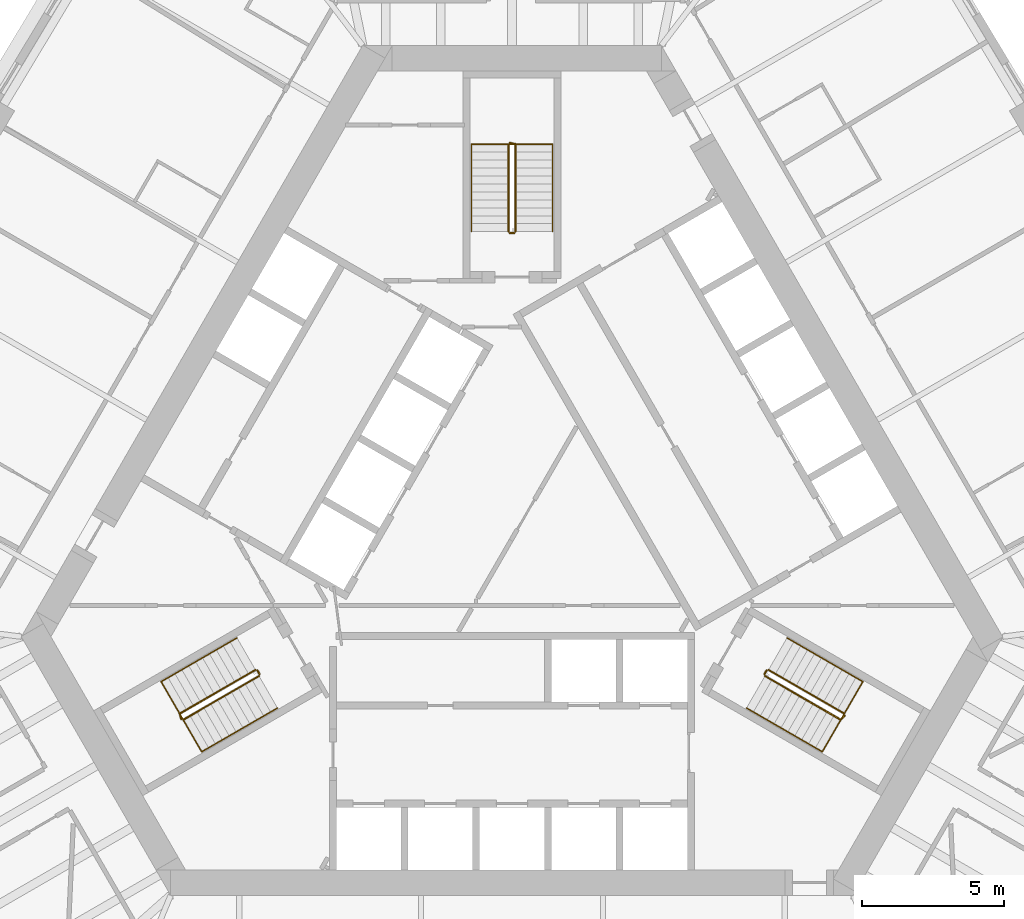
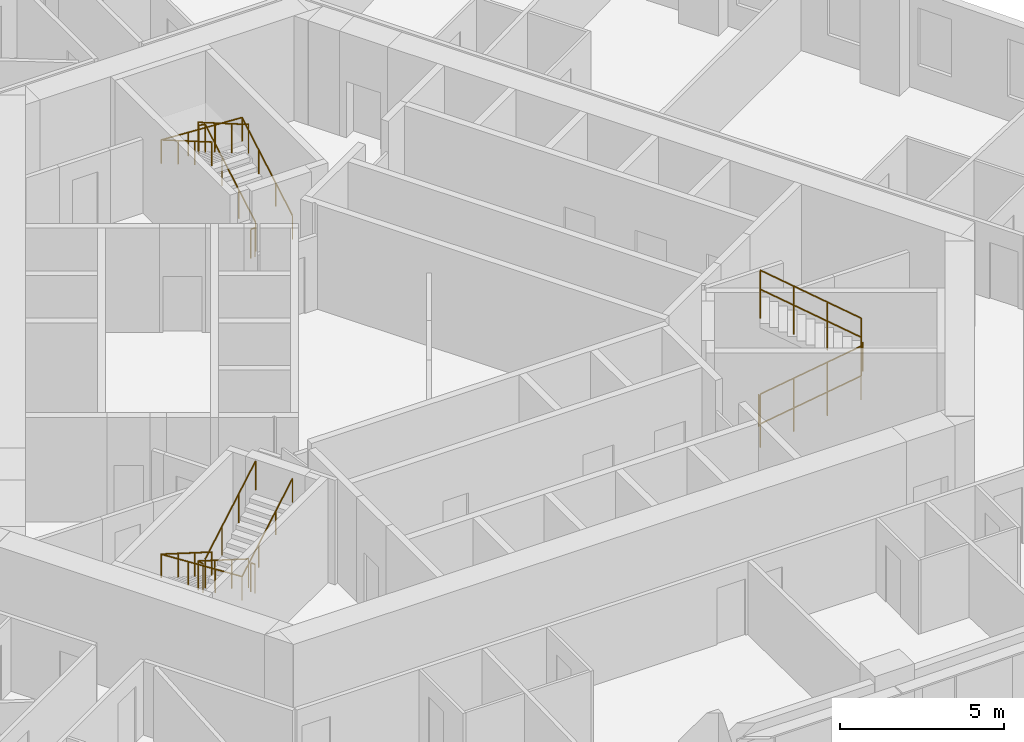
# One storey, part 13 of 13: 12 railings.
"""IFC4 building model written with IfcOpenShell, lengths in metres."""

from ifc_helpers import new_model, si_unit, direction, frame, origin, origin_2d, place, context, subcontext, project, spatial, circle, extrude, material, type_object, element, save


model = new_model("IFC4")

# Units and contexts
model_context = context("Model", 3, precision=1e-05, world=origin(), true_north=direction((0.0, 1.0)))
body_context = subcontext(model_context, "Body", "Model", "MODEL_VIEW")
ifc_project = project(units=[si_unit("LENGTHUNIT", "METRE"), si_unit("AREAUNIT", "SQUARE_METRE"), si_unit("VOLUMEUNIT", "CUBIC_METRE"), si_unit("PLANEANGLEUNIT", "RADIAN"), si_unit("MASSUNIT", "GRAM", prefix="KILO")], contexts=[model_context])

# Site, building, storey
site_placement = place(None, origin())
site = spatial("IfcSite", under=ifc_project, at=site_placement, CompositionType="ELEMENT")
building_placement = place(site_placement, origin())
building = spatial("IfcBuilding", under=site, at=building_placement, Name="Mestral Congress Tower", CompositionType="ELEMENT")
storey_placement = place(building_placement, frame((0.0, 0.0, 58.800048828125)))
storey = spatial("IfcBuildingStorey", under=building, at=storey_placement, Name="L13", CompositionType="ELEMENT", Elevation=58.800048828125)

# Railings
ifc_material_1 = material(Name="Steel balustrade", Category="steel")
railing_type_1 = type_object("IfcRailingType", Name="Stair guard 1100", PredefinedType="GUARDRAIL", material=ifc_material_1)
railing_1_placement = place(storey_placement, frame((8.90087890625, -5.283203125, 0.162353515625)))
element("IfcRailing", 1, at=railing_1_placement, inside=storey, type_object=railing_type_1, Name="L13 ST1 stair guard 1", PredefinedType="GUARDRAIL", context=body_context, shape_type="SweptSolid", body=[
    extrude(circle(Radius=0.02392578125, at=origin_2d()), frame((0.0, 0.0, 1.076171875), z_axis=(0.748993966903, -0.432462603499, 0.501980212875), x_axis=(0.500026652407, 0.866010015463, 0.0)), (0.0, 0.0, 1.0), 3.56103515625),
    extrude(circle(Radius=0.02392578125, at=origin_2d()), frame((2.667236328125, -1.5400390625, 2.86376953125), z_axis=(0.695164929852, 0.718850276695, 0.0), x_axis=(-0.718850276695, 0.695164929852, 0.0)), (0.0, 0.0, 1.0), 0.2060546875),
    extrude(circle(Radius=0.02099609375, at=origin_2d()), origin(), (0.0, 0.0, 1.0), 1.052001953125),
    extrude(circle(Radius=0.02099609375, at=origin_2d()), frame((0.88916015625, -0.513427734375, 0.595947265625)), (0.0, 0.0, 1.0), 1.052001953125),
    extrude(circle(Radius=0.02099609375, at=origin_2d()), frame((1.778076171875, -1.026611328125, 1.191650390625)), (0.0, 0.0, 1.0), 1.052001953125),
    extrude(circle(Radius=0.02099609375, at=origin_2d()), frame((2.667236328125, -1.5400390625, 1.78759765625)), (0.0, 0.0, 1.0), 1.052001953125),
    extrude(circle(Radius=0.02099609375, at=origin_2d()), frame((2.810546875, -1.391845703125, 1.78759765625)), (0.0, 0.0, 1.0), 1.052001953125),
])
railing_2_placement = place(storey_placement, frame((11.693115234375, -6.606689453125, 2.112548828125)))
element("IfcRailing", 2, at=railing_2_placement, inside=storey, type_object=railing_type_1, Name="L13 ST1 stair guard 2", PredefinedType="GUARDRAIL", context=body_context, shape_type="SweptSolid", body=[
    extrude(circle(Radius=0.02392578125, at=origin_2d()), frame((0.0, 0.0, 1.076171875), z_axis=(-0.749019742845, 0.432477486304, 0.501928927906), x_axis=(-0.500026652407, -0.866010015463, 0.0)), (0.0, 0.0, 1.0), 3.56103515625),
    extrude(circle(Radius=0.02099609375, at=origin_2d()), origin(), (0.0, 0.0, 1.0), 1.052001953125),
    extrude(circle(Radius=0.02099609375, at=origin_2d()), frame((-0.88916015625, 0.513427734375, 0.595703125)), (0.0, 0.0, 1.0), 1.052001953125),
    extrude(circle(Radius=0.02099609375, at=origin_2d()), frame((-1.778076171875, 1.026611328125, 1.191650390625)), (0.0, 0.0, 1.0), 1.052001953125),
    extrude(circle(Radius=0.02099609375, at=origin_2d()), frame((-2.667236328125, 1.5400390625, 1.787353515625)), (0.0, 0.0, 1.0), 1.052001953125),
])
railing_3_placement = place(storey_placement, frame((8.882568359375, -5.21484375, 0.0)))
element("IfcRailing", 3, at=railing_3_placement, inside=storey, type_object=railing_type_1, Name="L13 ST1 stair guard 3", PredefinedType="GUARDRAIL", context=body_context, shape_type="SweptSolid", body=[
    extrude(circle(Radius=0.02392578125, at=origin_2d()), frame((0.0, 0.0, 1.076171875), z_axis=(0.499816412211, 0.866131372301, 0.0), x_axis=(-0.866131372301, 0.499816412211, 0.0)), (0.0, 0.0, 1.0), 0.14990234375),
    extrude(circle(Radius=0.02099609375, at=origin_2d()), origin(), (0.0, 0.0, 1.0), 1.052001953125),
    extrude(circle(Radius=0.02099609375, at=origin_2d()), frame((0.074951171875, 0.1298828125, 0.0)), (0.0, 0.0, 1.0), 1.052001953125),
])
railing_4_placement = place(storey_placement, frame((0.125, 10.35009765625, 0.162353515625)))
element("IfcRailing", 4, at=railing_4_placement, inside=storey, type_object=railing_type_1, Name="L13 ST2 stair guard 1", PredefinedType="GUARDRAIL", context=body_context, shape_type="SweptSolid", body=[
    extrude(circle(Radius=0.02392578125, at=origin_2d()), frame((0.0, 0.0, 1.076171875), z_axis=(0.0, 0.864873446163, 0.501989962173), x_axis=(-1.0, 0.0, 0.0)), (0.0, 0.0, 1.0), 3.56103515625),
    extrude(circle(Radius=0.02392578125, at=origin_2d()), frame((0.0, 3.079833984375, 2.86376953125), z_axis=(-0.970072785993, 0.242814311512, 0.0), x_axis=(-0.242814311512, -0.970072785993, 0.0)), (0.0, 0.0, 1.0), 0.2060546875),
    extrude(circle(Radius=0.02099609375, at=origin_2d()), origin(), (0.0, 0.0, 1.0), 1.052001953125),
    extrude(circle(Radius=0.02099609375, at=origin_2d()), frame((0.0, 1.026611328125, 0.595947265625)), (0.0, 0.0, 1.0), 1.052001953125),
    extrude(circle(Radius=0.02099609375, at=origin_2d()), frame((0.0, 2.05322265625, 1.191650390625)), (0.0, 0.0, 1.0), 1.052001953125),
    extrude(circle(Radius=0.02099609375, at=origin_2d()), frame((0.0, 3.079833984375, 1.78759765625)), (0.0, 0.0, 1.0), 1.052001953125),
    extrude(circle(Radius=0.02099609375, at=origin_2d()), frame((-0.199951171875, 3.1298828125, 1.78759765625)), (0.0, 0.0, 1.0), 1.052001953125),
])
railing_5_placement = place(storey_placement, frame((-0.125, 13.429931640625, 2.112548828125)))
element("IfcRailing", 5, at=railing_5_placement, inside=storey, type_object=railing_type_1, Name="L13 ST2 stair guard 2", PredefinedType="GUARDRAIL", context=body_context, shape_type="SweptSolid", body=[
    extrude(circle(Radius=0.02392578125, at=origin_2d()), frame((0.0, 0.0, 1.076171875), z_axis=(0.0, -0.864903211148, 0.501938676878), x_axis=(1.0, 0.0, 0.0)), (0.0, 0.0, 1.0), 3.560791015625),
    extrude(circle(Radius=0.02099609375, at=origin_2d()), origin(), (0.0, 0.0, 1.0), 1.052001953125),
    extrude(circle(Radius=0.02099609375, at=origin_2d()), frame((0.0, -1.026611328125, 0.595703125)), (0.0, 0.0, 1.0), 1.052001953125),
    extrude(circle(Radius=0.02099609375, at=origin_2d()), frame((0.0, -2.05322265625, 1.191650390625)), (0.0, 0.0, 1.0), 1.052001953125),
    extrude(circle(Radius=0.02099609375, at=origin_2d()), frame((0.0, -3.079833984375, 1.787353515625)), (0.0, 0.0, 1.0), 1.052001953125),
])
railing_6_placement = place(storey_placement, frame((0.074951171875, 10.300048828125, 0.0)))
element("IfcRailing", 6, at=railing_6_placement, inside=storey, type_object=railing_type_1, Name="L13 ST2 stair guard 3", PredefinedType="GUARDRAIL", context=body_context, shape_type="SweptSolid", body=[
    extrude(circle(Radius=0.02392578125, at=origin_2d()), frame((0.0, 0.0, 1.076171875), z_axis=(-1.0, 0.0, 0.0), x_axis=(0.0, -1.0, 0.0)), (0.0, 0.0, 1.0), 0.14990234375),
    extrude(circle(Radius=0.02099609375, at=origin_2d()), origin(), (0.0, 0.0, 1.0), 1.052001953125),
    extrude(circle(Radius=0.02099609375, at=origin_2d()), frame((-0.14990234375, 0.0, 0.0)), (0.0, 0.0, 1.0), 1.052001953125),
])
railing_7_placement = place(storey_placement, frame((-9.02587890625, -5.066650390625, 0.162353515625)))
element("IfcRailing", 7, at=railing_7_placement, inside=storey, type_object=railing_type_1, Name="L13 ST3 stair guard 1", PredefinedType="GUARDRAIL", context=body_context, shape_type="SweptSolid", body=[
    extrude(circle(Radius=0.02392578125, at=origin_2d()), frame((0.0, 0.0, 1.076171875), z_axis=(-0.748993966903, -0.432462603499, 0.501980212875), x_axis=(0.500026652407, -0.866010015463, 0.0)), (0.0, 0.0, 1.0), 3.56103515625),
    extrude(circle(Radius=0.02392578125, at=origin_2d()), frame((-2.667236328125, -1.5400390625, 2.86376953125), z_axis=(0.274721127897, -0.961523947641, 0.0), x_axis=(0.961523947641, 0.274721127897, 0.0)), (0.0, 0.0, 1.0), 0.2060546875),
    extrude(circle(Radius=0.02099609375, at=origin_2d()), origin(), (0.0, 0.0, 1.0), 1.052001953125),
    extrude(circle(Radius=0.02099609375, at=origin_2d()), frame((-0.88916015625, -0.513427734375, 0.595947265625)), (0.0, 0.0, 1.0), 1.052001953125),
    extrude(circle(Radius=0.02099609375, at=origin_2d()), frame((-1.778076171875, -1.026611328125, 1.191650390625)), (0.0, 0.0, 1.0), 1.052001953125),
    extrude(circle(Radius=0.02099609375, at=origin_2d()), frame((-2.667236328125, -1.5400390625, 1.78759765625)), (0.0, 0.0, 1.0), 1.052001953125),
    extrude(circle(Radius=0.02099609375, at=origin_2d()), frame((-2.610595703125, -1.73828125, 1.78759765625)), (0.0, 0.0, 1.0), 1.052001953125),
])
railing_8_placement = place(storey_placement, frame((-11.568115234375, -6.8232421875, 2.112548828125)))
element("IfcRailing", 8, at=railing_8_placement, inside=storey, type_object=railing_type_1, Name="L13 ST3 stair guard 2", PredefinedType="GUARDRAIL", context=body_context, shape_type="SweptSolid", body=[
    extrude(circle(Radius=0.02392578125, at=origin_2d()), frame((0.0, 0.0, 1.076171875), z_axis=(0.749019742845, 0.432477486304, 0.501928927906), x_axis=(-0.500026652407, 0.866010015463, 0.0)), (0.0, 0.0, 1.0), 3.56103515625),
    extrude(circle(Radius=0.02099609375, at=origin_2d()), origin(), (0.0, 0.0, 1.0), 1.052001953125),
    extrude(circle(Radius=0.02099609375, at=origin_2d()), frame((0.88916015625, 0.513427734375, 0.595703125)), (0.0, 0.0, 1.0), 1.052001953125),
    extrude(circle(Radius=0.02099609375, at=origin_2d()), frame((1.778076171875, 1.026611328125, 1.191650390625)), (0.0, 0.0, 1.0), 1.052001953125),
    extrude(circle(Radius=0.02099609375, at=origin_2d()), frame((2.667236328125, 1.5400390625, 1.787353515625)), (0.0, 0.0, 1.0), 1.052001953125),
])
railing_9_placement = place(storey_placement, frame((-8.95751953125, -5.0849609375, 0.0)))
element("IfcRailing", 9, at=railing_9_placement, inside=storey, type_object=railing_type_1, Name="L13 ST3 stair guard 3", PredefinedType="GUARDRAIL", context=body_context, shape_type="SweptSolid", body=[
    extrude(circle(Radius=0.02392578125, at=origin_2d()), frame((0.0, 0.0, 1.076171875), z_axis=(0.499816412211, -0.866131372301, 0.0), x_axis=(0.866131372301, 0.499816412211, 0.0)), (0.0, 0.0, 1.0), 0.14990234375),
    extrude(circle(Radius=0.02099609375, at=origin_2d()), origin(), (0.0, 0.0, 1.0), 1.052001953125),
    extrude(circle(Radius=0.02099609375, at=origin_2d()), frame((0.074951171875, -0.1298828125, 0.0)), (0.0, 0.0, 1.0), 1.052001953125),
])
ifc_material_2 = material(Name="Steel handrail", Category="steel")
railing_type_2 = type_object("IfcRailingType", Name="Stair handrail 900", PredefinedType="HANDRAIL", material=ifc_material_2)
railing_10_placement = place(storey_placement, frame((8.2509765625, -6.4091796875, 0.162353515625)))
element("IfcRailing", 10, at=railing_10_placement, inside=storey, type_object=railing_type_2, Name="L13 ST1 stair handrail 1", PredefinedType="HANDRAIL", context=body_context, shape_type="SweptSolid", body=[
    extrude(circle(Radius=0.02392578125, at=origin_2d()), frame((0.0, 0.0, 0.8759765625), z_axis=(0.749016172816, -0.432406865167, 0.50199509541), x_axis=(0.499967199496, 0.866044340336, 0.0)), (0.0, 0.0, 1.0), 3.56103515625),
    extrude(circle(Radius=0.02392578125, at=origin_2d()), frame((2.667236328125, -1.539794921875, 2.66357421875), z_axis=(0.499224505807, 0.864598343191, 0.056961370716), x_axis=(-0.866004402611, 0.500036373335, 0.0)), (0.0, 0.0, 1.0), 2.8544921875),
    extrude(circle(Radius=0.02392578125, at=origin_2d()), frame((4.09228515625, 0.92822265625, 2.826171875), z_axis=(-0.749049836341, 0.432455278019, 0.501903153199), x_axis=(-0.499992328818, -0.866029832698, 0.0)), (0.0, 0.0, 1.0), 3.56103515625),
    extrude(circle(Radius=0.02099609375, at=origin_2d()), origin(), (0.0, 0.0, 1.0), 0.851806640625),
    extrude(circle(Radius=0.02099609375, at=origin_2d()), frame((0.88916015625, -0.51318359375, 0.595947265625)), (0.0, 0.0, 1.0), 0.851806640625),
    extrude(circle(Radius=0.02099609375, at=origin_2d()), frame((1.778076171875, -1.026611328125, 1.191650390625)), (0.0, 0.0, 1.0), 0.851806640625),
    extrude(circle(Radius=0.02099609375, at=origin_2d()), frame((2.667236328125, -1.539794921875, 1.78759765625)), (0.0, 0.0, 1.0), 0.851806640625),
    extrude(circle(Radius=0.02099609375, at=origin_2d()), frame((3.142333984375, -0.717041015625, 1.841796875)), (0.0, 0.0, 1.0), 0.851806640625),
    extrude(circle(Radius=0.02099609375, at=origin_2d()), frame((3.6171875, 0.10546875, 1.89599609375)), (0.0, 0.0, 1.0), 0.851806640625),
    extrude(circle(Radius=0.02099609375, at=origin_2d()), frame((4.09228515625, 0.92822265625, 1.9501953125)), (0.0, 0.0, 1.0), 0.851806640625),
    extrude(circle(Radius=0.02099609375, at=origin_2d()), frame((3.203125, 1.441650390625, 2.5458984375)), (0.0, 0.0, 1.0), 0.851806640625),
    extrude(circle(Radius=0.02099609375, at=origin_2d()), frame((2.31396484375, 1.954833984375, 3.141845703125)), (0.0, 0.0, 1.0), 0.851806640625),
    extrude(circle(Radius=0.02099609375, at=origin_2d()), frame((1.4248046875, 2.46826171875, 3.737548828125)), (0.0, 0.0, 1.0), 0.851806640625),
])
railing_11_placement = place(storey_placement, frame((1.425048828125, 10.35009765625, 0.162353515625)))
element("IfcRailing", 11, at=railing_11_placement, inside=storey, type_object=railing_type_2, Name="L13 ST2 stair handrail 1", PredefinedType="HANDRAIL", context=body_context, shape_type="SweptSolid", body=[
    extrude(circle(Radius=0.02392578125, at=origin_2d()), frame((0.0, 0.0, 0.8759765625), z_axis=(0.0, 0.864873446163, 0.501989962173), x_axis=(-1.0, 0.0, 0.0)), (0.0, 0.0, 1.0), 3.56103515625),
    extrude(circle(Radius=0.02392578125, at=origin_2d()), frame((0.0, 3.079833984375, 2.66357421875), z_axis=(-0.998376618682, 0.0, 0.056957240709), x_axis=(0.0, -1.0, 0.0)), (0.0, 0.0, 1.0), 2.854736328125),
    extrude(circle(Radius=0.02392578125, at=origin_2d()), frame((-2.85009765625, 3.079833984375, 2.826171875), z_axis=(0.0, -0.864903211148, 0.501938676878), x_axis=(1.0, 0.0, 0.0)), (0.0, 0.0, 1.0), 3.560791015625),
    extrude(circle(Radius=0.02099609375, at=origin_2d()), origin(), (0.0, 0.0, 1.0), 0.851806640625),
    extrude(circle(Radius=0.02099609375, at=origin_2d()), frame((0.0, 1.026611328125, 0.595947265625)), (0.0, 0.0, 1.0), 0.851806640625),
    extrude(circle(Radius=0.02099609375, at=origin_2d()), frame((0.0, 2.05322265625, 1.191650390625)), (0.0, 0.0, 1.0), 0.851806640625),
    extrude(circle(Radius=0.02099609375, at=origin_2d()), frame((0.0, 3.079833984375, 1.78759765625)), (0.0, 0.0, 1.0), 0.851806640625),
    extrude(circle(Radius=0.02099609375, at=origin_2d()), frame((-0.949951171875, 3.079833984375, 1.841796875)), (0.0, 0.0, 1.0), 0.851806640625),
    extrude(circle(Radius=0.02099609375, at=origin_2d()), frame((-1.900146484375, 3.079833984375, 1.89599609375)), (0.0, 0.0, 1.0), 0.851806640625),
    extrude(circle(Radius=0.02099609375, at=origin_2d()), frame((-2.85009765625, 3.079833984375, 1.9501953125)), (0.0, 0.0, 1.0), 0.851806640625),
    extrude(circle(Radius=0.02099609375, at=origin_2d()), frame((-2.85009765625, 2.05322265625, 2.5458984375)), (0.0, 0.0, 1.0), 0.851806640625),
    extrude(circle(Radius=0.02099609375, at=origin_2d()), frame((-2.85009765625, 1.026611328125, 3.141845703125)), (0.0, 0.0, 1.0), 0.851806640625),
    extrude(circle(Radius=0.02099609375, at=origin_2d()), frame((-2.85009765625, 0.0, 3.737548828125)), (0.0, 0.0, 1.0), 0.851806640625),
])
railing_12_placement = place(storey_placement, frame((-9.67578125, -3.94091796875, 0.162353515625)))
element("IfcRailing", 12, at=railing_12_placement, inside=storey, type_object=railing_type_2, Name="L13 ST3 stair handrail 1", PredefinedType="HANDRAIL", context=body_context, shape_type="SweptSolid", body=[
    extrude(circle(Radius=0.02392578125, at=origin_2d()), frame((0.0, 0.0, 0.8759765625), z_axis=(-0.74902406201, -0.432440397507, 0.501954437309), x_axis=(0.499992328818, -0.866029832698, 0.0)), (0.0, 0.0, 1.0), 3.561279296875),
    extrude(circle(Radius=0.02392578125, at=origin_2d()), frame((-2.66748046875, -1.5400390625, 2.66357421875), z_axis=(0.499224505807, -0.864598343191, 0.056961370716), x_axis=(0.866004402611, 0.500036373335, 0.0)), (0.0, 0.0, 1.0), 2.8544921875),
    extrude(circle(Radius=0.02392578125, at=origin_2d()), frame((-1.242431640625, -4.008056640625, 2.826171875), z_axis=(0.749041951051, 0.432421746936, 0.501943809945), x_axis=(-0.499967199496, 0.866044340336, 0.0)), (0.0, 0.0, 1.0), 3.560791015625),
    extrude(circle(Radius=0.02099609375, at=origin_2d()), origin(), (0.0, 0.0, 1.0), 0.851806640625),
    extrude(circle(Radius=0.02099609375, at=origin_2d()), frame((-0.88916015625, -0.513427734375, 0.595947265625)), (0.0, 0.0, 1.0), 0.851806640625),
    extrude(circle(Radius=0.02099609375, at=origin_2d()), frame((-1.7783203125, -1.026611328125, 1.191650390625)), (0.0, 0.0, 1.0), 0.851806640625),
    extrude(circle(Radius=0.02099609375, at=origin_2d()), frame((-2.66748046875, -1.5400390625, 1.78759765625)), (0.0, 0.0, 1.0), 0.851806640625),
    extrude(circle(Radius=0.02099609375, at=origin_2d()), frame((-2.1923828125, -2.36279296875, 1.841796875)), (0.0, 0.0, 1.0), 0.851806640625),
    extrude(circle(Radius=0.02099609375, at=origin_2d()), frame((-1.717529296875, -3.185302734375, 1.89599609375)), (0.0, 0.0, 1.0), 0.851806640625),
    extrude(circle(Radius=0.02099609375, at=origin_2d()), frame((-1.242431640625, -4.008056640625, 1.9501953125)), (0.0, 0.0, 1.0), 0.851806640625),
    extrude(circle(Radius=0.02099609375, at=origin_2d()), frame((-0.353271484375, -3.494873046875, 2.5458984375)), (0.0, 0.0, 1.0), 0.851806640625),
    extrude(circle(Radius=0.02099609375, at=origin_2d()), frame((0.53564453125, -2.9814453125, 3.141845703125)), (0.0, 0.0, 1.0), 0.851806640625),
    extrude(circle(Radius=0.02099609375, at=origin_2d()), frame((1.4248046875, -2.46826171875, 3.737548828125)), (0.0, 0.0, 1.0), 0.851806640625),
])

save(model, "model.ifc")
